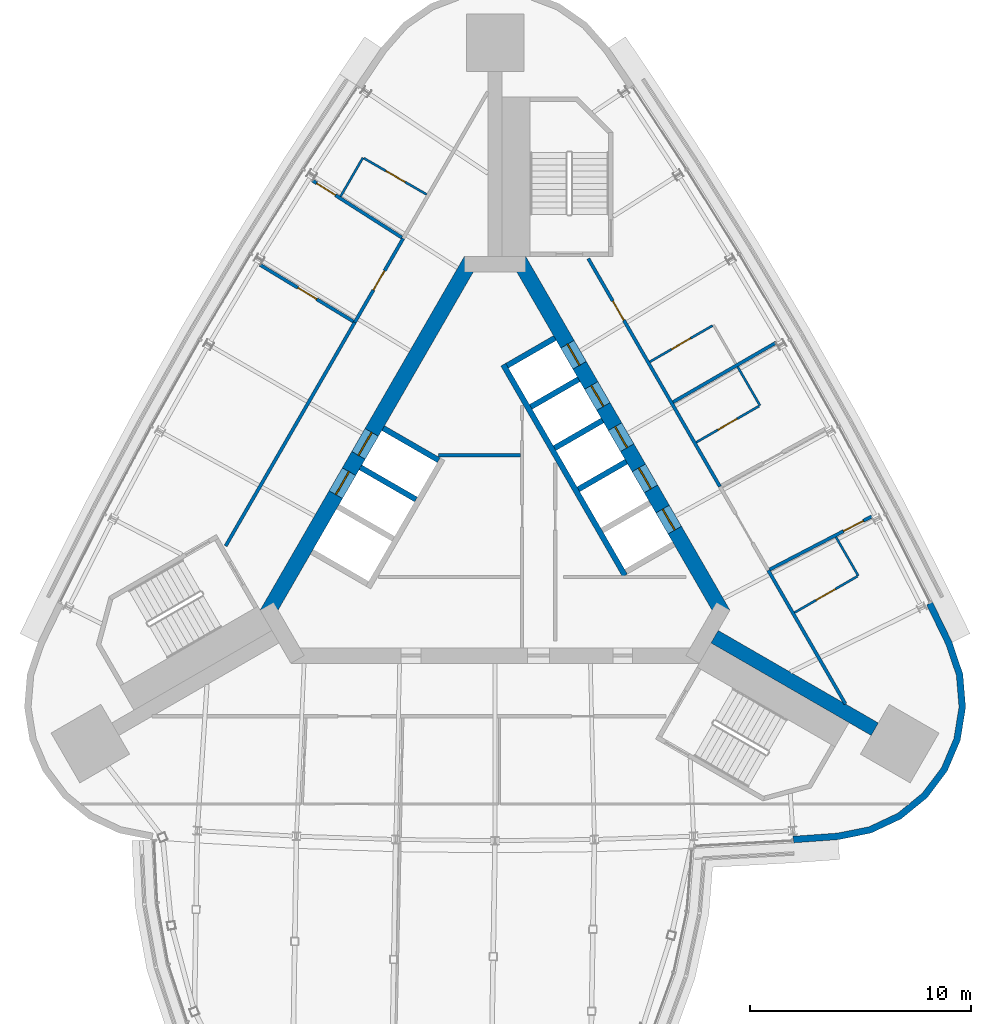
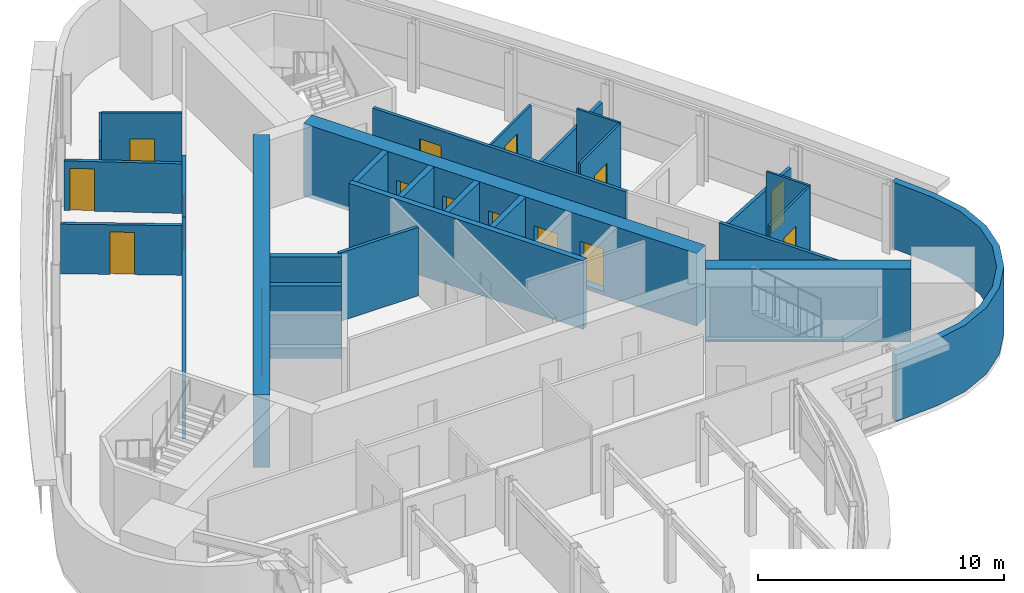
# One storey, part 11 of 15: 27 walls, 16 doors, 16 openings.
"""IFC4 building model written with IfcOpenShell, lengths in metres."""

import ifcopenshell
import ifcopenshell.guid

model = None  # the IFC model being written
_history = None  # IfcOwnerHistory: only IFC2X3 demands one
_inside = {}  # id of a spatial element -> (the spatial element, [elements in it])
_under = {}  # id of a project, library or spatial element -> (it, [spatial elements below it])
_declared = {}  # id of a project -> (the project, [libraries it declares])
_typed = {}  # id of a type object -> (the type object, [elements of that type])
_made_of = {}  # id of a material, layer set ... -> (it, [elements and type objects made of it])


def new_model(schema):
    """Start an empty IFC model of exactly this schema.

    Asked for "IFC4X3", IfcOpenShell would pick the latest addendum, in which some entities
    have other attributes; the version numbers below select the first issue.
    IFC2X3 requires an IfcOwnerHistory on every rooted entity: one is made here for all.
    """
    global model, _history
    if schema == "IFC4X3":
        model = ifcopenshell.file(schema_version=(4, 3, 0, 0))
    else:
        model = ifcopenshell.file(schema=schema)
    _inside.clear()
    _under.clear()
    _declared.clear()
    _typed.clear()
    _made_of.clear()
    _history = None
    if model.schema == "IFC2X3":
        org = make("IfcOrganization", Name="unknown")
        user = make(
            "IfcPersonAndOrganization",
            ThePerson=make("IfcPerson", FamilyName="unknown"),
            TheOrganization=org,
        )
        app = make(
            "IfcApplication",
            ApplicationDeveloper=org,
            Version="unknown",
            ApplicationFullName="unknown",
            ApplicationIdentifier="unknown",
        )
        _history = make(
            "IfcOwnerHistory",
            OwningUser=user,
            OwningApplication=app,
            ChangeAction="ADDED",
            CreationDate=0,
        )
    return model


def make(cls, **values):
    """One entity of the class cls with the attributes given. An attribute that is None is left unset."""
    return model.create_entity(
        cls, **{name: value for name, value in values.items() if value is not None}
    )


def rooted(cls, **values):
    """An entity with a GlobalId (a new one), such as an element, a storey or a relation."""
    return make(cls, GlobalId=ifcopenshell.guid.new(), OwnerHistory=_history, **values)


def si_unit(unit_type, name, prefix=None):
    """IfcSIUnit, for example si_unit("LENGTHUNIT", "METRE", prefix="MILLI")."""
    return make("IfcSIUnit", UnitType=unit_type, Prefix=prefix, Name=name)


def assignment(units):
    """IfcUnitAssignment: the units of a project."""
    return None if units is None else make("IfcUnitAssignment", Units=units)


def point(xyz):
    """IfcCartesianPoint."""
    return None if xyz is None else make("IfcCartesianPoint", Coordinates=xyz)


def direction(xyz):
    """IfcDirection."""
    return None if xyz is None else make("IfcDirection", DirectionRatios=xyz)


def frame(location, z_axis=None, x_axis=None):
    """IfcAxis2Placement3D, a coordinate frame: its origin and axes. An axis left out is left unset."""
    return make(
        "IfcAxis2Placement3D",
        Location=point(location),
        Axis=direction(z_axis),
        RefDirection=direction(x_axis),
    )


def frame_2d(location, x_axis=None):
    """IfcAxis2Placement2D, a coordinate frame in the plane: its origin and x axis."""
    return make(
        "IfcAxis2Placement2D", Location=point(location), RefDirection=direction(x_axis)
    )


def origin():
    """The frame at (0, 0, 0) with its axes left unset."""
    return frame((0.0, 0.0, 0.0))


def place(relative_to, where):
    """IfcLocalPlacement: puts the frame where relative to a parent placement (None: the world)."""
    return make(
        "IfcLocalPlacement", PlacementRelTo=relative_to, RelativePlacement=where
    )


def context(
    kind, dimensions, precision=None, world=None, true_north=None, identifier=None
):
    """IfcGeometricRepresentationContext, for example the 3D "Model" context."""
    return make(
        "IfcGeometricRepresentationContext",
        ContextIdentifier=identifier,
        ContextType=kind,
        CoordinateSpaceDimension=dimensions,
        Precision=precision,
        WorldCoordinateSystem=world,
        TrueNorth=true_north,
    )


def subcontext(parent, identifier, kind, view, scale=None):
    """IfcGeometricRepresentationSubContext, for example "Body" below "Model"."""
    return make(
        "IfcGeometricRepresentationSubContext",
        ContextIdentifier=identifier,
        ContextType=kind,
        ParentContext=parent,
        TargetScale=scale,
        TargetView=view,
    )


def project(units=None, contexts=None):
    """IfcProject with its units and contexts."""
    return rooted(
        "IfcProject",
        Name="project",
        RepresentationContexts=contexts,
        UnitsInContext=assignment(units),
    )


def spatial(cls, under=None, at=None, **own):
    """A site, building, storey or space (cls), placed at a placement, below another one or the project."""
    s = rooted(cls, ObjectPlacement=at, **own)
    if under is not None:
        _under.setdefault(under.id(), (under, []))[1].append(s)
    return s


def polyline(points):
    """IfcPolyline through the points."""
    return make("IfcPolyline", Points=[point(p) for p in points])


def profile(cls, at=None, kind="AREA", **sizes):
    """A parametric profile (cls). Its sizes go by their IFC names, for example OverallWidth=200.0."""
    return make(cls, ProfileType=kind, Position=at, **sizes)


def rectangle(**sizes):
    """IfcRectangleProfileDef."""
    return profile("IfcRectangleProfileDef", **sizes)


def outline(outer, holes=None, kind="AREA"):
    """IfcArbitraryClosedProfileDef: a profile drawn as a closed curve; with holes, ...WithVoids."""
    if holes is None:
        return make("IfcArbitraryClosedProfileDef", ProfileType=kind, OuterCurve=outer)
    return make(
        "IfcArbitraryProfileDefWithVoids",
        ProfileType=kind,
        OuterCurve=outer,
        InnerCurves=holes,
    )


def extrude(swept, where, along, depth):
    """IfcExtrudedAreaSolid: the profile swept, set in the frame where, extruded along a direction by depth."""
    return make(
        "IfcExtrudedAreaSolid",
        SweptArea=swept,
        Position=where,
        ExtrudedDirection=direction(along),
        Depth=depth,
    )


def shape(context_of_items, identifier, shape_type, items):
    """IfcShapeRepresentation: the items that make up one representation, for example the "Body"."""
    return make(
        "IfcShapeRepresentation",
        ContextOfItems=context_of_items,
        RepresentationIdentifier=identifier,
        RepresentationType=shape_type,
        Items=items,
    )


def material(Name=None, Category=None):
    """IfcMaterial."""
    return make("IfcMaterial", Name=Name, Category=Category)


def layer(
    of_material, thickness, ventilated=None, Name=None, Category=None, Priority=None
):
    """IfcMaterialLayer: one layer of a wall or slab, of a material (None: an air gap)."""
    return make(
        "IfcMaterialLayer",
        Material=of_material,
        LayerThickness=thickness,
        IsVentilated=ventilated,
        Name=Name,
        Category=Category,
        Priority=Priority,
    )


def layer_set(layers, Name=None):
    """IfcMaterialLayerSet."""
    return make("IfcMaterialLayerSet", MaterialLayers=layers, LayerSetName=Name)


def made_of(thing, what):
    """Note that an element or type object is made of a material, layer set ...; save() writes the relation."""
    if what is not None:
        _made_of.setdefault(what.id(), (what, []))[1].append(thing)
    return thing


def type_object(cls, material=None, **own):
    """A type object (cls), such as IfcWallType, which elements share."""
    return made_of(rooted(cls, **own), material)


def element(
    cls,
    number,
    at=None,
    inside=None,
    cuts=None,
    type_object=None,
    material=None,
    context=None,
    identifier="Body",
    shape_type=None,
    held_by="IfcProductDefinitionShape",
    body=None,
    shapes=None,
    **own,
):
    """One element of the class cls, such as IfcWall. Its Tag is "e" and its number.

    at: its placement. inside: the storey or other place that contains it. cuts: it is an
    opening in that element (IfcRelVoidsElement). A single representation is given by context,
    identifier, shape_type and body (its items); several are given by shapes. held_by: the class
    of the entity that holds the representations. save() writes the other relations.
    """
    e = rooted(cls, Tag="e%d" % number, ObjectPlacement=at, **own)
    if body is not None:
        shapes = [shape(context, identifier, shape_type, body)]
    if shapes is not None:
        e.Representation = make(held_by, Representations=shapes)
    if inside is not None:
        _inside.setdefault(inside.id(), (inside, []))[1].append(e)
    if cuts is not None:
        rooted(
            "IfcRelVoidsElement", RelatingBuildingElement=cuts, RelatedOpeningElement=e
        )
    if type_object is not None:
        _typed.setdefault(type_object.id(), (type_object, []))[1].append(e)
    return made_of(e, material)


def fill(opening, filler):
    """IfcRelFillsElement: the door or window that sits in an opening."""
    return rooted(
        "IfcRelFillsElement",
        RelatingOpeningElement=opening,
        RelatedBuildingElement=filler,
    )


def aggregate(whole, parts):
    """IfcRelAggregates: a whole, such as a stair, and the parts it consists of."""
    return rooted("IfcRelAggregates", RelatingObject=whole, RelatedObjects=parts)


def save(model, path):
    """Write the relations noted so far, then the file.

    IfcRelAggregates (storeys below a building ...), IfcRelContainedInSpatialStructure (elements
    in a storey), IfcRelDefinesByType, IfcRelAssociatesMaterial and IfcRelDeclares: one each for
    every whole, place, type object, material and project.
    """
    for whole, parts in _under.values():
        aggregate(whole, parts)
    for where, things in _inside.values():
        rooted(
            "IfcRelContainedInSpatialStructure",
            RelatedElements=things,
            RelatingStructure=where,
        )
    for kind, things in _typed.values():
        rooted("IfcRelDefinesByType", RelatedObjects=things, RelatingType=kind)
    for what, things in _made_of.values():
        rooted("IfcRelAssociatesMaterial", RelatedObjects=things, RelatingMaterial=what)
    for by, libraries in _declared.values():
        rooted("IfcRelDeclares", RelatingContext=by, RelatedDefinitions=libraries)
    model.write(path)


model = new_model("IFC4")

# Units and contexts
model_context = context("Model", 3, precision=1e-05, world=origin(), true_north=direction((0.0, 1.0)))
body_context = subcontext(model_context, "Body", "Model", "MODEL_VIEW")
ifc_project = project(units=[si_unit("LENGTHUNIT", "METRE"), si_unit("AREAUNIT", "SQUARE_METRE"), si_unit("VOLUMEUNIT", "CUBIC_METRE"), si_unit("PLANEANGLEUNIT", "RADIAN"), si_unit("MASSUNIT", "GRAM", prefix="KILO")], contexts=[model_context])

# Site, building, storey
site_placement = place(None, origin())
site = spatial("IfcSite", under=ifc_project, at=site_placement, CompositionType="ELEMENT")
building_placement = place(site_placement, origin())
building = spatial("IfcBuilding", under=site, at=building_placement, Name="Noor Cloister Tower", CompositionType="ELEMENT")
storey_placement = place(building_placement, frame((0.0, 0.0, 225.60009765625)))
storey = spatial("IfcBuildingStorey", under=building, at=storey_placement, Name="L58", CompositionType="ELEMENT", Elevation=225.60009765625)

# Walls
ifc_material_1 = material(Name="Concrete C60/75", Category="concrete")
ifc_layer_1 = layer(ifc_material_1, 0.64990234375)
ifc_layer_set_1 = layer_set([ifc_layer_1], Name="Buttress wall 650 C60/75")
wall_type_1 = type_object("IfcWallType", Name="Buttress wall 650 C60/75", PredefinedType="SHEAR", material=ifc_layer_set_1)
wall_1_placement = place(storey_placement, frame((9.921630859375, -5.728271484375, -0.2001953125), z_axis=(0.0, 0.0, 1.0), x_axis=(0.866030911543, -0.499990460161, 0.0)))
element("IfcWall", 1, at=wall_1_placement, inside=storey, type_object=wall_type_1, Name="Buttress wall SE L58", PredefinedType="SHEAR", context=body_context, shape_type="SweptSolid", body=[
    extrude(rectangle(XDim=8.358642578125, YDim=0.64990234375, at=frame_2d((4.17919921875, 0.0))), origin(), (0.0, 0.0, 1.0), 3.60009765625),
])
ifc_material_2 = material(Name="Concrete C30/37", Category="concrete")
ifc_layer_2 = layer(ifc_material_2, 0.14990234375)
ifc_layer_set_2 = layer_set([ifc_layer_2], Name="Core partition 150 C30/37")
wall_type_2 = type_object("IfcWallType", Name="Core partition 150 C30/37", PredefinedType="PARTITIONING", material=ifc_layer_set_2)
wall_2_placement = place(storey_placement, frame((-2.55126953125, 2.4716796875, 0.0), z_axis=(0.0, 0.0, 1.0), x_axis=(1.0, 0.0, 0.0)))
element("IfcWall", 2, at=wall_2_placement, inside=storey, type_object=wall_type_2, Name="Core room partition L58 2", PredefinedType="PARTITIONING", context=body_context, shape_type="SweptSolid", body=[
    extrude(rectangle(XDim=3.697509765625, YDim=0.14990234375, at=frame_2d((1.8486328125, 0.0))), origin(), (0.0, 0.0, 1.0), 3.39990234375),
])

# Wall, openings, doors
ifc_material_3 = material(Name="Concrete C60/75", Category="concrete")
ifc_layer_3 = layer(ifc_material_3, 0.699951171875)
ifc_layer_set_3 = layer_set([ifc_layer_3], Name="Core wall 700 C60/75")
wall_type_3 = type_object("IfcWallType", Name="Core wall 700 C60/75", PredefinedType="SHEAR", material=ifc_layer_set_3)
wall_3_placement = place(storey_placement, frame((10.311279296875, -4.703125, -0.2001953125), z_axis=(0.0, 0.0, 1.0), x_axis=(-0.500001446645, 0.866024568562, 0.0)))
wall_3 = element("IfcWall", 3, at=wall_3_placement, inside=storey, type_object=wall_type_3, Name="Core wall L58 3", PredefinedType="SHEAR", context=body_context, shape_type="SweptSolid", body=[
    extrude(rectangle(XDim=18.45751953125, YDim=0.699951171875, at=frame_2d((9.228759765625, 0.0))), origin(), (0.0, 0.0, 1.0), 3.60009765625),
])
opening_1_placement = place(wall_3_placement, frame((4.378662109375, 0.0, 0.199951171875)))
opening_1 = element("IfcOpeningElement", 4, at=opening_1_placement, cuts=wall_3, Name="Opening L58-HR1", PredefinedType="OPENING", context=body_context, shape_type="SweptSolid", body=[
    extrude(rectangle(XDim=1.10009765625, YDim=2.10009765625, at=frame_2d((0.550048828125, 1.050048828125))), frame((0.0, 0.35986328125, 0.0), z_axis=(0.0, -1.0, 0.0), x_axis=(1.0, 0.0, 0.0)), (0.0, 0.0, 1.0), 0.719970703125),
])
opening_2_placement = place(wall_3_placement, frame((6.52880859375, 0.0, 0.199951171875)))
opening_2 = element("IfcOpeningElement", 5, at=opening_2_placement, cuts=wall_3, Name="Opening L58-HR2", PredefinedType="OPENING", context=body_context, shape_type="SweptSolid", body=[
    extrude(rectangle(XDim=1.10009765625, YDim=2.10009765625, at=frame_2d((0.550048828125, 1.050048828125))), frame((0.0, 0.35986328125, 0.0), z_axis=(0.0, -1.0, 0.0), x_axis=(1.0, 0.0, 0.0)), (0.0, 0.0, 1.0), 0.719970703125),
])
opening_3_placement = place(wall_3_placement, frame((8.6787109375, 0.0, 0.199951171875)))
opening_3 = element("IfcOpeningElement", 6, at=opening_3_placement, cuts=wall_3, Name="Opening L58-HR3", PredefinedType="OPENING", context=body_context, shape_type="SweptSolid", body=[
    extrude(rectangle(XDim=1.10009765625, YDim=2.10009765625, at=frame_2d((0.550048828125, 1.050048828125))), frame((0.0, 0.35986328125, 0.0), z_axis=(0.0, -1.0, 0.0), x_axis=(1.0, 0.0, 0.0)), (0.0, 0.0, 1.0), 0.719970703125),
])
opening_4_placement = place(wall_3_placement, frame((10.82861328125, 0.0, 0.199951171875)))
opening_4 = element("IfcOpeningElement", 7, at=opening_4_placement, cuts=wall_3, Name="Opening L58-HR4", PredefinedType="OPENING", context=body_context, shape_type="SweptSolid", body=[
    extrude(rectangle(XDim=1.10009765625, YDim=2.10009765625, at=frame_2d((0.550048828125, 1.050048828125))), frame((0.0, 0.35986328125, 0.0), z_axis=(0.0, -1.0, 0.0), x_axis=(1.0, 0.0, 0.0)), (0.0, 0.0, 1.0), 0.719970703125),
])
opening_5_placement = place(wall_3_placement, frame((12.978759765625, 0.0, 0.199951171875)))
opening_5 = element("IfcOpeningElement", 8, at=opening_5_placement, cuts=wall_3, Name="Opening L58-HR5", PredefinedType="OPENING", context=body_context, shape_type="SweptSolid", body=[
    extrude(rectangle(XDim=1.10009765625, YDim=2.10009765625, at=frame_2d((0.550048828125, 1.050048828125))), frame((0.0, 0.35986328125, 0.0), z_axis=(0.0, -1.0, 0.0), x_axis=(1.0, 0.0, 0.0)), (0.0, 0.0, 1.0), 0.719970703125),
])
ifc_material_4 = material(Name="Stainless steel", Category="steel")
door_type_1 = type_object("IfcDoorType", Name="Lift landing door 1100 x 2100", OperationType="DOUBLE_DOOR_SLIDING", PredefinedType="DOOR", material=ifc_material_4)
door_1_placement = place(opening_1_placement, origin())
door_1 = element("IfcDoor", 9, at=door_1_placement, inside=storey, type_object=door_type_1, Name="Landing door HR1 L58", OperationType="DOUBLE_DOOR_SLIDING", OverallHeight=2.10009765625, OverallWidth=1.10009765625, PredefinedType="DOOR", context=body_context, shape_type="SweptSolid", body=[
    extrude(rectangle(XDim=1.10009765625, YDim=2.10009765625, at=frame_2d((0.550048828125, 1.050048828125))), frame((0.0, 0.02490234375, 0.0), z_axis=(0.0, -1.0, 0.0), x_axis=(1.0, 0.0, 0.0)), (0.0, 0.0, 1.0), 0.050048828125),
])
fill(opening_1, door_1)
door_2_placement = place(opening_2_placement, origin())
door_2 = element("IfcDoor", 10, at=door_2_placement, inside=storey, type_object=door_type_1, Name="Landing door HR2 L58", OperationType="DOUBLE_DOOR_SLIDING", OverallHeight=2.10009765625, OverallWidth=1.10009765625, PredefinedType="DOOR", context=body_context, shape_type="SweptSolid", body=[
    extrude(rectangle(XDim=1.10009765625, YDim=2.10009765625, at=frame_2d((0.550048828125, 1.050048828125))), frame((0.0, 0.02490234375, 0.0), z_axis=(0.0, -1.0, 0.0), x_axis=(1.0, 0.0, 0.0)), (0.0, 0.0, 1.0), 0.050048828125),
])
fill(opening_2, door_2)
door_3_placement = place(opening_3_placement, origin())
door_3 = element("IfcDoor", 11, at=door_3_placement, inside=storey, type_object=door_type_1, Name="Landing door HR3 L58", OperationType="DOUBLE_DOOR_SLIDING", OverallHeight=2.10009765625, OverallWidth=1.10009765625, PredefinedType="DOOR", context=body_context, shape_type="SweptSolid", body=[
    extrude(rectangle(XDim=1.10009765625, YDim=2.10009765625, at=frame_2d((0.550048828125, 1.050048828125))), frame((0.0, 0.02490234375, 0.0), z_axis=(0.0, -1.0, 0.0), x_axis=(1.0, 0.0, 0.0)), (0.0, 0.0, 1.0), 0.050048828125),
])
fill(opening_3, door_3)
door_4_placement = place(opening_4_placement, origin())
door_4 = element("IfcDoor", 12, at=door_4_placement, inside=storey, type_object=door_type_1, Name="Landing door HR4 L58", OperationType="DOUBLE_DOOR_SLIDING", OverallHeight=2.10009765625, OverallWidth=1.10009765625, PredefinedType="DOOR", context=body_context, shape_type="SweptSolid", body=[
    extrude(rectangle(XDim=1.10009765625, YDim=2.10009765625, at=frame_2d((0.550048828125, 1.050048828125))), frame((0.0, 0.02490234375, 0.0), z_axis=(0.0, -1.0, 0.0), x_axis=(1.0, 0.0, 0.0)), (0.0, 0.0, 1.0), 0.050048828125),
])
fill(opening_4, door_4)
door_5_placement = place(opening_5_placement, origin())
door_5 = element("IfcDoor", 13, at=door_5_placement, inside=storey, type_object=door_type_1, Name="Landing door HR5 L58", OperationType="DOUBLE_DOOR_SLIDING", OverallHeight=2.10009765625, OverallWidth=1.10009765625, PredefinedType="DOOR", context=body_context, shape_type="SweptSolid", body=[
    extrude(rectangle(XDim=1.10009765625, YDim=2.10009765625, at=frame_2d((0.550048828125, 1.050048828125))), frame((0.0, 0.02490234375, 0.0), z_axis=(0.0, -1.0, 0.0), x_axis=(1.0, 0.0, 0.0)), (0.0, 0.0, 1.0), 0.050048828125),
])
fill(opening_5, door_5)

wall_4_placement = place(storey_placement, frame((-1.08251953125, 11.281494140625, -0.2001953125), z_axis=(0.0, 0.0, 1.0), x_axis=(-0.500001446645, -0.866024568562, 0.0)))
wall_4 = element("IfcWall", 14, at=wall_4_placement, inside=storey, type_object=wall_type_3, Name="Core wall L58 5", PredefinedType="SHEAR", context=body_context, shape_type="SweptSolid", body=[
    extrude(rectangle(XDim=18.45751953125, YDim=0.699951171875, at=frame_2d((9.228759765625, 0.0))), origin(), (0.0, 0.0, 1.0), 3.60009765625),
])
opening_6_placement = place(wall_4_placement, frame((8.978759765625, 0.0, 0.199951171875)))
opening_6 = element("IfcOpeningElement", 15, at=opening_6_placement, cuts=wall_4, Name="Opening L58-FF1", PredefinedType="OPENING", context=body_context, shape_type="SweptSolid", body=[
    extrude(rectangle(XDim=1.199951171875, YDim=2.10009765625, at=frame_2d((0.60009765625, 1.050048828125))), frame((0.0, 0.35986328125, 0.0), z_axis=(0.0, -1.0, 0.0), x_axis=(1.0, 0.0, 0.0)), (0.0, 0.0, 1.0), 0.719970703125),
])
opening_7_placement = place(wall_4_placement, frame((11.02880859375, 0.0, 0.199951171875)))
opening_7 = element("IfcOpeningElement", 16, at=opening_7_placement, cuts=wall_4, Name="Opening L58-FF2", PredefinedType="OPENING", context=body_context, shape_type="SweptSolid", body=[
    extrude(rectangle(XDim=1.199951171875, YDim=2.10009765625, at=frame_2d((0.60009765625, 1.050048828125))), frame((0.0, 0.35986328125, 0.0), z_axis=(0.0, -1.0, 0.0), x_axis=(1.0, 0.0, 0.0)), (0.0, 0.0, 1.0), 0.719970703125),
])
ifc_material_5 = material(Name="Stainless steel", Category="steel")
door_type_2 = type_object("IfcDoorType", Name="Lift landing door 1200 x 2100", OperationType="DOUBLE_DOOR_SLIDING", PredefinedType="DOOR", material=ifc_material_5)
door_6_placement = place(opening_6_placement, origin())
door_6 = element("IfcDoor", 17, at=door_6_placement, inside=storey, type_object=door_type_2, Name="Landing door FF1 L58", OperationType="DOUBLE_DOOR_SLIDING", OverallHeight=2.10009765625, OverallWidth=1.199951171875, PredefinedType="DOOR", context=body_context, shape_type="SweptSolid", body=[
    extrude(rectangle(XDim=1.199951171875, YDim=2.10009765625, at=frame_2d((0.60009765625, 1.050048828125))), frame((0.0, 0.02490234375, 0.0), z_axis=(0.0, -1.0, 0.0), x_axis=(1.0, 0.0, 0.0)), (0.0, 0.0, 1.0), 0.050048828125),
])
fill(opening_6, door_6)
door_7_placement = place(opening_7_placement, origin())
door_7 = element("IfcDoor", 18, at=door_7_placement, inside=storey, type_object=door_type_2, Name="Landing door FF2 L58", OperationType="DOUBLE_DOOR_SLIDING", OverallHeight=2.10009765625, OverallWidth=1.199951171875, PredefinedType="DOOR", context=body_context, shape_type="SweptSolid", body=[
    extrude(rectangle(XDim=1.199951171875, YDim=2.10009765625, at=frame_2d((0.60009765625, 1.050048828125))), frame((0.0, 0.02490234375, 0.0), z_axis=(0.0, -1.0, 0.0), x_axis=(1.0, 0.0, 0.0)), (0.0, 0.0, 1.0), 0.050048828125),
])
fill(opening_7, door_7)

# Wall
ifc_material_6 = material(Name="Fire-rated gypsum board partition on steel studs, 150 mm", Category="steel")
ifc_layer_4 = layer(ifc_material_6, 0.14990234375)
ifc_layer_set_4 = layer_set([ifc_layer_4], Name="Fire lobby wall 150")
wall_type_4 = type_object("IfcWallType", Name="Fire lobby wall 150", PredefinedType="PARTITIONING", material=ifc_layer_set_4)
wall_5_placement = place(storey_placement, frame((-6.33837890625, 8.47802734375, 0.0), z_axis=(0.0, 0.0, 1.0), x_axis=(-0.499993497815, -0.86602915779, 0.0)))
element("IfcWall", 19, at=wall_5_placement, inside=storey, type_object=wall_type_4, Name="Wall L58-W22", PredefinedType="PARTITIONING", context=body_context, shape_type="SweptSolid", body=[
    extrude(rectangle(XDim=11.669677734375, YDim=0.14990234375, at=frame_2d((5.8349609375, 0.0))), origin(), (0.0, 0.0, 1.0), 2.851806640625),
])

# Wall, opening, door
wall_6_placement = place(storey_placement, frame((-4.149658203125, 12.26904296875, 0.0), z_axis=(0.0, 0.0, 1.0), x_axis=(-0.499996027077, -0.86602769754, 0.0)))
wall_6 = element("IfcWall", 20, at=wall_6_placement, inside=storey, type_object=wall_type_4, Name="Wall L58-W25", PredefinedType="PARTITIONING", context=body_context, shape_type="SweptSolid", body=[
    extrude(rectangle(XDim=4.37744140625, YDim=0.14990234375, at=frame_2d((2.188720703125, 0.0))), origin(), (0.0, 0.0, 1.0), 2.851806640625),
])
opening_8_placement = place(wall_6_placement, frame((1.688720703125, 0.0, 0.0)))
opening_8 = element("IfcOpeningElement", 21, at=opening_8_placement, cuts=wall_6, Name="Opening L58-014", PredefinedType="OPENING", context=body_context, shape_type="SweptSolid", body=[
    extrude(rectangle(XDim=1.0, YDim=2.10009765625, at=frame_2d((0.5, 1.050048828125))), frame((0.0, 0.0849609375, 0.0), z_axis=(0.0, -1.0, 0.0), x_axis=(1.0, 0.0, 0.0)), (0.0, 0.0, 1.0), 0.169921875),
])
ifc_material_7 = material(Name="Timber door leaf with steel frame", Category="steel")
door_type_3 = type_object("IfcDoorType", Name="Fire lobby door 1000", OperationType="NOTDEFINED", PredefinedType="DOOR", material=ifc_material_7)
door_8_placement = place(opening_8_placement, origin())
door_8 = element("IfcDoor", 22, at=door_8_placement, inside=storey, type_object=door_type_3, Name="Door L58-014", OperationType="SINGLE_SWING_RIGHT", OverallHeight=2.10009765625, OverallWidth=1.0, PredefinedType="DOOR", context=body_context, shape_type="SweptSolid", body=[
    extrude(rectangle(XDim=1.0, YDim=2.10009765625, at=frame_2d((0.5, 1.050048828125))), frame((0.0, 0.02490234375, 0.0), z_axis=(0.0, -1.0, 0.0), x_axis=(1.0, 0.0, 0.0)), (0.0, 0.0, 1.0), 0.050048828125),
])
fill(opening_8, door_8)

# Wall
ifc_material_8 = material(Name="Gypsum board partition on steel studs, 150 mm", Category="steel")
ifc_layer_5 = layer(ifc_material_8, 0.14990234375)
ifc_layer_set_5 = layer_set([ifc_layer_5], Name="Flat wall 150")
wall_type_5 = type_object("IfcWallType", Name="Flat wall 150", PredefinedType="PARTITIONING", material=ifc_layer_set_5)
wall_7_placement = place(storey_placement, frame((15.83203125, -8.765380859375, 0.0), z_axis=(0.0, 0.0, 1.0), x_axis=(-0.500009302692, 0.866020032806, 0.0)))
element("IfcWall", 23, at=wall_7_placement, inside=storey, type_object=wall_type_5, Name="Wall L58-W01", PredefinedType="PARTITIONING", context=body_context, shape_type="SweptSolid", body=[
    extrude(rectangle(XDim=6.974365234375, YDim=0.14990234375, at=frame_2d((3.4873046875, 0.0))), origin(), (0.0, 0.0, 1.0), 2.851806640625),
])

# Wall, opening, door
wall_8_placement = place(storey_placement, frame((10.16064453125, 1.0576171875, 0.0), z_axis=(0.0, 0.0, 1.0), x_axis=(-0.500000866012, 0.866024903792, 0.0)))
wall_8 = element("IfcWall", 24, at=wall_8_placement, inside=storey, type_object=wall_type_5, Name="Wall L58-W02", PredefinedType="PARTITIONING", context=body_context, shape_type="SweptSolid", body=[
    extrude(rectangle(XDim=11.89208984375, YDim=0.14990234375, at=frame_2d((5.946044921875, 0.0))), origin(), (0.0, 0.0, 1.0), 2.851806640625),
])
opening_9_placement = place(wall_8_placement, frame((8.677978515625, 0.0, 0.0)))
opening_9 = element("IfcOpeningElement", 25, at=opening_9_placement, cuts=wall_8, Name="Opening L58-007", PredefinedType="OPENING", context=body_context, shape_type="SweptSolid", body=[
    extrude(rectangle(XDim=1.0, YDim=2.10009765625, at=frame_2d((0.5, 1.050048828125))), frame((0.0, 0.0849609375, 0.0), z_axis=(0.0, -1.0, 0.0), x_axis=(1.0, 0.0, 0.0)), (0.0, 0.0, 1.0), 0.169921875),
])
ifc_material_9 = material(Name="Timber door leaf with steel frame", Category="steel")
door_type_4 = type_object("IfcDoorType", Name="Flat entrance door 1000", OperationType="NOTDEFINED", PredefinedType="DOOR", material=ifc_material_9)
door_9_placement = place(opening_9_placement, origin())
door_9 = element("IfcDoor", 26, at=door_9_placement, inside=storey, type_object=door_type_4, Name="Door L58-007", OperationType="SINGLE_SWING_LEFT", OverallHeight=2.10009765625, OverallWidth=1.0, PredefinedType="DOOR", context=body_context, shape_type="SweptSolid", body=[
    extrude(rectangle(XDim=1.0, YDim=2.10009765625, at=frame_2d((0.5, 1.050048828125))), frame((0.0, 0.02490234375, 0.0), z_axis=(0.0, -1.0, 0.0), x_axis=(1.0, 0.0, 0.0)), (0.0, 0.0, 1.0), 0.050048828125),
])
fill(opening_9, door_9)

wall_9_placement = place(storey_placement, frame((17.02587890625, -0.29248046875, 0.0), z_axis=(0.0, 0.0, 1.0), x_axis=(-0.887303639302, -0.461185701947, 0.0)))
wall_9 = element("IfcWall", 27, at=wall_9_placement, inside=storey, type_object=wall_type_5, Name="Wall L58-W03", PredefinedType="PARTITIONING", context=body_context, shape_type="SweptSolid", body=[
    extrude(rectangle(XDim=5.20068359375, YDim=0.14990234375, at=frame_2d((2.600341796875, 0.0))), origin(), (0.0, 0.0, 1.0), 2.4609375),
])
opening_10_placement = place(wall_9_placement, frame((0.43603515625, 0.0, 0.0)))
opening_10 = element("IfcOpeningElement", 28, at=opening_10_placement, cuts=wall_9, Name="Opening L58-003", PredefinedType="OPENING", context=body_context, shape_type="SweptSolid", body=[
    extrude(rectangle(XDim=1.0, YDim=2.10009765625, at=frame_2d((0.5, 1.050048828125))), frame((0.0, 0.0849609375, 0.0), z_axis=(0.0, -1.0, 0.0), x_axis=(1.0, 0.0, 0.0)), (0.0, 0.0, 1.0), 0.169921875),
])
door_10_placement = place(opening_10_placement, origin())
door_10 = element("IfcDoor", 29, at=door_10_placement, inside=storey, type_object=door_type_4, Name="Door L58-003", OperationType="SINGLE_SWING_LEFT", OverallHeight=2.10009765625, OverallWidth=1.0, PredefinedType="DOOR", context=body_context, shape_type="SweptSolid", body=[
    extrude(rectangle(XDim=1.0, YDim=2.10009765625, at=frame_2d((0.5, 1.050048828125))), frame((0.0, 0.02490234375, 0.0), z_axis=(0.0, -1.0, 0.0), x_axis=(1.0, 0.0, 0.0)), (0.0, 0.0, 1.0), 0.050048828125),
])
fill(opening_10, door_10)

# Wall
wall_10_placement = place(storey_placement, frame((12.70703125, 7.5673828125, 0.0), z_axis=(0.0, 0.0, 1.0), x_axis=(-0.866016468327, -0.500015476347, 0.0)))
element("IfcWall", 30, at=wall_10_placement, inside=storey, type_object=wall_type_5, Name="Wall L58-W10", PredefinedType="PARTITIONING", context=body_context, shape_type="SweptSolid", body=[
    extrude(rectangle(XDim=5.385009765625, YDim=0.14990234375, at=frame_2d((2.6923828125, 0.0))), origin(), (0.0, 0.0, 1.0), 2.4609375),
])

# Wall, opening, door
wall_11_placement = place(storey_placement, frame((-8.259765625, 14.89111328125, 0.0), z_axis=(0.0, 0.0, 1.0), x_axis=(0.843047331612, -0.537839378125, 0.0)))
wall_11 = element("IfcWall", 31, at=wall_11_placement, inside=storey, type_object=wall_type_5, Name="Wall L58-W23", PredefinedType="PARTITIONING", context=body_context, shape_type="SweptSolid", body=[
    extrude(rectangle(XDim=4.80029296875, YDim=0.14990234375, at=frame_2d((2.400146484375, 0.0))), origin(), (0.0, 0.0, 1.0), 2.4609375),
])
opening_11_placement = place(wall_11_placement, frame((0.23583984375, 0.0, 0.0)))
opening_11 = element("IfcOpeningElement", 32, at=opening_11_placement, cuts=wall_11, Name="Opening L58-016", PredefinedType="OPENING", context=body_context, shape_type="SweptSolid", body=[
    extrude(rectangle(XDim=1.0, YDim=2.10009765625, at=frame_2d((0.5, 1.050048828125))), frame((0.0, 0.0849609375, 0.0), z_axis=(0.0, -1.0, 0.0), x_axis=(1.0, 0.0, 0.0)), (0.0, 0.0, 1.0), 0.169921875),
])
door_11_placement = place(opening_11_placement, origin())
door_11 = element("IfcDoor", 33, at=door_11_placement, inside=storey, type_object=door_type_4, Name="Door L58-016", OperationType="SINGLE_SWING_RIGHT", OverallHeight=2.10009765625, OverallWidth=1.0, PredefinedType="DOOR", context=body_context, shape_type="SweptSolid", body=[
    extrude(rectangle(XDim=1.0, YDim=2.10009765625, at=frame_2d((0.5, 1.050048828125))), frame((0.0, 0.02490234375, 0.0), z_axis=(0.0, -1.0, 0.0), x_axis=(1.0, 0.0, 0.0)), (0.0, 0.0, 1.0), 0.050048828125),
])
fill(opening_11, door_11)

wall_12_placement = place(storey_placement, frame((-10.625732421875, 11.081787109375, 0.0), z_axis=(0.0, 0.0, 1.0), x_axis=(0.854742891139, -0.519051625609, 0.0)))
wall_12 = element("IfcWall", 34, at=wall_12_placement, inside=storey, type_object=wall_type_5, Name="Wall L58-W24", PredefinedType="PARTITIONING", context=body_context, shape_type="SweptSolid", body=[
    extrude(rectangle(XDim=4.941162109375, YDim=0.14990234375, at=frame_2d((2.470703125, 0.0))), origin(), (0.0, 0.0, 1.0), 2.4609375),
])
opening_12_placement = place(wall_12_placement, frame((2.008056640625, 0.0, 0.0)))
opening_12 = element("IfcOpeningElement", 35, at=opening_12_placement, cuts=wall_12, Name="Opening L58-017", PredefinedType="OPENING", context=body_context, shape_type="SweptSolid", body=[
    extrude(rectangle(XDim=1.0, YDim=2.10009765625, at=frame_2d((0.5, 1.050048828125))), frame((0.0, 0.0849609375, 0.0), z_axis=(0.0, -1.0, 0.0), x_axis=(1.0, 0.0, 0.0)), (0.0, 0.0, 1.0), 0.169921875),
])
ifc_material_10 = material(Name="Timber door leaf with steel frame", Category="steel")
door_type_5 = type_object("IfcDoorType", Name="Interior door 1000 FD60", OperationType="NOTDEFINED", PredefinedType="DOOR", material=ifc_material_10)
door_12_placement = place(opening_12_placement, origin())
door_12 = element("IfcDoor", 36, at=door_12_placement, inside=storey, type_object=door_type_5, Name="Door L58-017", OperationType="SINGLE_SWING_LEFT", OverallHeight=2.10009765625, OverallWidth=1.0, PredefinedType="DOOR", context=body_context, shape_type="SweptSolid", body=[
    extrude(rectangle(XDim=1.0, YDim=2.10009765625, at=frame_2d((0.5, 1.050048828125))), frame((0.0, 0.02490234375, 0.0), z_axis=(0.0, -1.0, 0.0), x_axis=(1.0, 0.0, 0.0)), (0.0, 0.0, 1.0), 0.050048828125),
])
fill(opening_12, door_12)

# Walls
ifc_material_11 = material(Name="Limestone", Category="masonry")
ifc_layer_6 = layer(ifc_material_11, 0.300048828125)
ifc_layer_set_6 = layer_set([ifc_layer_6], Name="Limestone cladding 300")
wall_type_6 = type_object("IfcWallType", Name="Limestone cladding 300", PredefinedType="NOTDEFINED", material=ifc_layer_set_6)
wall_13_placement = place(storey_placement, origin())
element("IfcWall", 37, at=wall_13_placement, inside=storey, type_object=wall_type_6, Name="Limestone pier cladding L58 2.1", PredefinedType="NOTDEFINED", context=body_context, shape_type="SweptSolid", body=[
    extrude(outline(polyline([(13.489990234375, -15.04248046875), (15.50732421875, -14.898193359375), (16.988037109375, -14.6015625), (18.354248046875, -13.957763671875), (19.52587890625, -13.00439453125), (20.433837890625, -11.79736328125), (21.02490234375, -10.40771484375), (21.264892578125, -8.91650390625), (21.139404296875, -7.411376953125), (20.65576171875, -5.98046875), (19.772216796875, -4.16162109375), (19.50244140625, -4.292724609375), (20.377685546875, -6.094482421875), (20.843505859375, -7.47265625), (20.962890625, -8.905029296875), (20.734619140625, -10.323974609375), (20.171875, -11.646240234375), (19.30810546875, -12.794677734375), (18.193359375, -13.701904296875), (16.893310546875, -14.314697265625), (15.467041015625, -14.600341796875), (13.46875, -14.7431640625), (13.489990234375, -15.04248046875)])), origin(), (0.0, 0.0, 1.0), 3.2998046875),
])
ifc_material_12 = material(Name="Gypsum board partition on steel studs, 100 mm", Category="steel")
ifc_layer_7 = layer(ifc_material_12, 0.10009765625)
ifc_layer_set_7 = layer_set([ifc_layer_7], Name="Partition 100")
wall_type_7 = type_object("IfcWallType", Name="Partition 100", PredefinedType="PARTITIONING", material=ifc_layer_set_7)
wall_14_placement = place(storey_placement, frame((15.402099609375, -1.220947265625, 0.0), z_axis=(0.0, 0.0, 1.0), x_axis=(0.499990325971, -0.866030989016, 0.0)))
element("IfcWall", 38, at=wall_14_placement, inside=storey, type_object=wall_type_7, Name="Wall L58-W06", PredefinedType="PARTITIONING", context=body_context, shape_type="SweptSolid", body=[
    extrude(rectangle(XDim=2.02490234375, YDim=0.10009765625, at=frame_2d((1.012451171875, 0.0))), origin(), (0.0, 0.0, 1.0), 3.39990234375),
])

# Wall, opening, door
wall_15_placement = place(storey_placement, frame((16.371337890625, -2.99951171875, 0.0), z_axis=(0.0, 0.0, 1.0), x_axis=(-0.866027924134, -0.499995634601, 0.0)))
wall_15 = element("IfcWall", 39, at=wall_15_placement, inside=storey, type_object=wall_type_7, Name="Wall L58-W07", PredefinedType="PARTITIONING", context=body_context, shape_type="SweptSolid", body=[
    extrude(rectangle(XDim=3.27490234375, YDim=0.10009765625, at=frame_2d((1.637451171875, 0.0))), origin(), (0.0, 0.0, 1.0), 3.39990234375),
])
opening_13_placement = place(wall_15_placement, frame((1.14990234375, 0.0, 0.0)))
opening_13 = element("IfcOpeningElement", 40, at=opening_13_placement, cuts=wall_15, Name="Opening L58-002", PredefinedType="OPENING", context=body_context, shape_type="SweptSolid", body=[
    extrude(rectangle(XDim=1.0, YDim=2.10009765625, at=frame_2d((0.5, 1.050048828125))), frame((0.0, 0.06005859375, 0.0), z_axis=(0.0, -1.0, 0.0), x_axis=(1.0, 0.0, 0.0)), (0.0, 0.0, 1.0), 0.1201171875),
])
ifc_material_13 = material(Name="Timber door leaf with steel frame", Category="steel")
door_type_6 = type_object("IfcDoorType", Name="Interior door 1000", OperationType="NOTDEFINED", PredefinedType="DOOR", material=ifc_material_13)
door_13_placement = place(opening_13_placement, origin())
door_13 = element("IfcDoor", 41, at=door_13_placement, inside=storey, type_object=door_type_6, Name="Door L58-002", OperationType="SINGLE_SWING_RIGHT", OverallHeight=2.10009765625, OverallWidth=1.0, PredefinedType="DOOR", context=body_context, shape_type="SweptSolid", body=[
    extrude(rectangle(XDim=1.0, YDim=2.10009765625, at=frame_2d((0.5, 1.050048828125))), frame((0.0, 0.02490234375, 0.0), z_axis=(0.0, -1.0, 0.0), x_axis=(1.0, 0.0, 0.0)), (0.0, 0.0, 1.0), 0.050048828125),
])
fill(opening_13, door_13)

# Wall
wall_16_placement = place(storey_placement, frame((10.96044921875, 6.472412109375, 0.0), z_axis=(0.0, 0.0, 1.0), x_axis=(0.499990325971, -0.866030989016, 0.0)))
element("IfcWall", 42, at=wall_16_placement, inside=storey, type_object=wall_type_7, Name="Wall L58-W08", PredefinedType="PARTITIONING", context=body_context, shape_type="SweptSolid", body=[
    extrude(rectangle(XDim=2.02490234375, YDim=0.10009765625, at=frame_2d((1.012451171875, 0.0))), origin(), (0.0, 0.0, 1.0), 3.39990234375),
])

# Wall, opening, door
wall_17_placement = place(storey_placement, frame((11.9296875, 4.693603515625, 0.0), z_axis=(0.0, 0.0, 1.0), x_axis=(-0.866027924134, -0.499995634601, 0.0)))
wall_17 = element("IfcWall", 43, at=wall_17_placement, inside=storey, type_object=wall_type_7, Name="Wall L58-W09", PredefinedType="PARTITIONING", context=body_context, shape_type="SweptSolid", body=[
    extrude(rectangle(XDim=3.27490234375, YDim=0.10009765625, at=frame_2d((1.637451171875, 0.0))), origin(), (0.0, 0.0, 1.0), 3.39990234375),
])
opening_14_placement = place(wall_17_placement, frame((1.14990234375, 0.0, 0.0)))
opening_14 = element("IfcOpeningElement", 44, at=opening_14_placement, cuts=wall_17, Name="Opening L58-004", PredefinedType="OPENING", context=body_context, shape_type="SweptSolid", body=[
    extrude(rectangle(XDim=1.0, YDim=2.10009765625, at=frame_2d((0.5, 1.050048828125))), frame((0.0, 0.06005859375, 0.0), z_axis=(0.0, -1.0, 0.0), x_axis=(1.0, 0.0, 0.0)), (0.0, 0.0, 1.0), 0.1201171875),
])
door_14_placement = place(opening_14_placement, origin())
door_14 = element("IfcDoor", 45, at=door_14_placement, inside=storey, type_object=door_type_6, Name="Door L58-004", OperationType="SINGLE_SWING_RIGHT", OverallHeight=2.10009765625, OverallWidth=1.0, PredefinedType="DOOR", context=body_context, shape_type="SweptSolid", body=[
    extrude(rectangle(XDim=1.0, YDim=2.10009765625, at=frame_2d((0.5, 1.050048828125))), frame((0.0, 0.02490234375, 0.0), z_axis=(0.0, -1.0, 0.0), x_axis=(1.0, 0.0, 0.0)), (0.0, 0.0, 1.0), 0.050048828125),
])
fill(opening_14, door_14)

wall_18_placement = place(storey_placement, frame((9.82958984375, 8.3310546875, 0.0), z_axis=(0.0, 0.0, 1.0), x_axis=(-0.865995643347, -0.500051543047, 0.0)))
wall_18 = element("IfcWall", 46, at=wall_18_placement, inside=storey, type_object=wall_type_7, Name="Wall L58-W12", PredefinedType="PARTITIONING", context=body_context, shape_type="SweptSolid", body=[
    extrude(rectangle(XDim=3.275146484375, YDim=0.10009765625, at=frame_2d((1.6376953125, 0.0))), origin(), (0.0, 0.0, 1.0), 2.851806640625),
])
opening_15_placement = place(wall_18_placement, frame((1.14990234375, 0.0, 0.0)))
opening_15 = element("IfcOpeningElement", 47, at=opening_15_placement, cuts=wall_18, Name="Opening L58-006", PredefinedType="OPENING", context=body_context, shape_type="SweptSolid", body=[
    extrude(rectangle(XDim=1.0, YDim=2.10009765625, at=frame_2d((0.5, 1.050048828125))), frame((0.0, 0.06005859375, 0.0), z_axis=(0.0, -1.0, 0.0), x_axis=(1.0, 0.0, 0.0)), (0.0, 0.0, 1.0), 0.1201171875),
])
door_15_placement = place(opening_15_placement, origin())
door_15 = element("IfcDoor", 48, at=door_15_placement, inside=storey, type_object=door_type_6, Name="Door L58-006", OperationType="SINGLE_SWING_RIGHT", OverallHeight=2.10009765625, OverallWidth=1.0, PredefinedType="DOOR", context=body_context, shape_type="SweptSolid", body=[
    extrude(rectangle(XDim=1.0, YDim=2.10009765625, at=frame_2d((0.5, 1.050048828125))), frame((0.0, 0.02490234375, 0.0), z_axis=(0.0, -1.0, 0.0), x_axis=(1.0, 0.0, 0.0)), (0.0, 0.0, 1.0), 0.050048828125),
])
fill(opening_15, door_15)

# Wall
wall_19_placement = place(storey_placement, frame((-6.981201171875, 14.16455078125, 0.0), z_axis=(0.0, 0.0, 1.0), x_axis=(0.500042536776, 0.866000843773, 0.0)))
element("IfcWall", 49, at=wall_19_placement, inside=storey, type_object=wall_type_7, Name="Wall L58-W26", PredefinedType="PARTITIONING", context=body_context, shape_type="SweptSolid", body=[
    extrude(rectangle(XDim=2.024658203125, YDim=0.10009765625, at=frame_2d((1.01220703125, 0.0))), origin(), (0.0, 0.0, 1.0), 3.39990234375),
])

# Wall, opening, door
wall_20_placement = place(storey_placement, frame((-5.925537109375, 15.89306640625, 0.0), z_axis=(0.0, 0.0, 1.0), x_axis=(0.866027924134, -0.499995634601, 0.0)))
wall_20 = element("IfcWall", 50, at=wall_20_placement, inside=storey, type_object=wall_type_7, Name="Wall L58-W27", PredefinedType="PARTITIONING", context=body_context, shape_type="SweptSolid", body=[
    extrude(rectangle(XDim=3.27490234375, YDim=0.10009765625, at=frame_2d((1.637451171875, 0.0))), origin(), (0.0, 0.0, 1.0), 3.39990234375),
])
opening_16_placement = place(wall_20_placement, frame((1.14990234375, 0.0, 0.0)))
opening_16 = element("IfcOpeningElement", 51, at=opening_16_placement, cuts=wall_20, Name="Opening L58-015", PredefinedType="OPENING", context=body_context, shape_type="SweptSolid", body=[
    extrude(rectangle(XDim=1.0, YDim=2.10009765625, at=frame_2d((0.5, 1.050048828125))), frame((0.0, 0.06005859375, 0.0), z_axis=(0.0, -1.0, 0.0), x_axis=(1.0, 0.0, 0.0)), (0.0, 0.0, 1.0), 0.1201171875),
])
door_16_placement = place(opening_16_placement, origin())
door_16 = element("IfcDoor", 52, at=door_16_placement, inside=storey, type_object=door_type_6, Name="Door L58-015", OperationType="SINGLE_SWING_LEFT", OverallHeight=2.10009765625, OverallWidth=1.0, PredefinedType="DOOR", context=body_context, shape_type="SweptSolid", body=[
    extrude(rectangle(XDim=1.0, YDim=2.10009765625, at=frame_2d((0.5, 1.050048828125))), frame((0.0, 0.02490234375, 0.0), z_axis=(0.0, -1.0, 0.0), x_axis=(1.0, 0.0, 0.0)), (0.0, 0.0, 1.0), 0.050048828125),
])
fill(opening_16, door_16)

# Walls
ifc_material_14 = material(Name="Concrete C60/75", Category="concrete")
ifc_layer_8 = layer(ifc_material_14, 0.25)
ifc_layer_set_8 = layer_set([ifc_layer_8], Name="Shaft wall 250 C60/75")
wall_type_8 = type_object("IfcWallType", Name="Shaft wall 250 C60/75", PredefinedType="PARTITIONING", material=ifc_layer_set_8)
wall_21_placement = place(storey_placement, frame((5.931396484375, 2.18310546875, -0.2001953125), z_axis=(0.0, 0.0, 1.0), x_axis=(-0.866047370643, -0.499961950354, 0.0)))
element("IfcWall", 53, at=wall_21_placement, inside=storey, type_object=wall_type_8, Name="Lift shaft wall L58 NE 3", PredefinedType="PARTITIONING", context=body_context, shape_type="SweptSolid", body=[
    extrude(rectangle(XDim=2.500244140625, YDim=0.25, at=frame_2d((1.25, 0.0))), origin(), (0.0, 0.0, 1.0), 3.60009765625),
])
for number, where, z_axis, x_axis, name in (
    (54, (4.856201171875, 4.045166015625, -0.2001953125), (0.0, 0.0, 1.0), (-0.866022959057, -0.500004234368, 0.0), "Lift shaft wall L58 NE 4"),
    (55, (3.78125, 5.906982421875, -0.2001953125), (0.0, 0.0, 1.0), (-0.866022959057, -0.500004234368, 0.0), "Lift shaft wall L58 NE 5"),
    (56, (2.706298828125, 7.76904296875, -0.2001953125), (0.0, 0.0, 1.0), (-0.866022959057, -0.500004234368, 0.0), "Lift shaft wall L58 NE 6"),
):
    element("IfcWall", number, at=place(storey_placement, frame(where, z_axis=z_axis, x_axis=x_axis)), inside=storey, type_object=wall_type_8, Name=name, PredefinedType="PARTITIONING", context=body_context, shape_type="SweptSolid", body=[
        extrude(rectangle(XDim=2.5, YDim=0.25, at=frame_2d((1.25, 0.0))), origin(), (0.0, 0.0, 1.0), 3.60009765625),
    ])
wall_22_placement = place(storey_placement, frame((5.870361328125, -2.96142578125, 0.0), z_axis=(0.0, 0.0, 1.0), x_axis=(-0.50000615651, 0.866021849293, 0.0)))
element("IfcWall", 57, at=wall_22_placement, inside=storey, type_object=wall_type_8, Name="Lift shaft back wall L58 NE", PredefinedType="PARTITIONING", context=body_context, shape_type="SweptSolid", body=[
    extrude(rectangle(XDim=10.999755859375, YDim=0.25, at=frame_2d((5.5, 0.0))), origin(), (0.0, 0.0, 1.0), 3.39990234375),
])
for number, where, z_axis, x_axis, name in (
    (58, (-5.056396484375, 3.69873046875, -0.2001953125), (0.0, 0.0, 1.0), (0.866032775405, -0.499987231761, 0.0), "Lift shaft wall L58 NW 3"),
    (59, (-6.081298828125, 1.92333984375, -0.2001953125), (0.0, 0.0, 1.0), (0.866032775405, -0.499987231761, 0.0), "Lift shaft wall L58 NW 4"),
):
    element("IfcWall", number, at=place(storey_placement, frame(where, z_axis=z_axis, x_axis=x_axis)), inside=storey, type_object=wall_type_8, Name=name, PredefinedType="PARTITIONING", context=body_context, shape_type="SweptSolid", body=[
        extrude(rectangle(XDim=2.89990234375, YDim=0.25, at=frame_2d((1.449951171875, 0.0))), origin(), (0.0, 0.0, 1.0), 3.60009765625),
    ])

save(model, "model.ifc")
